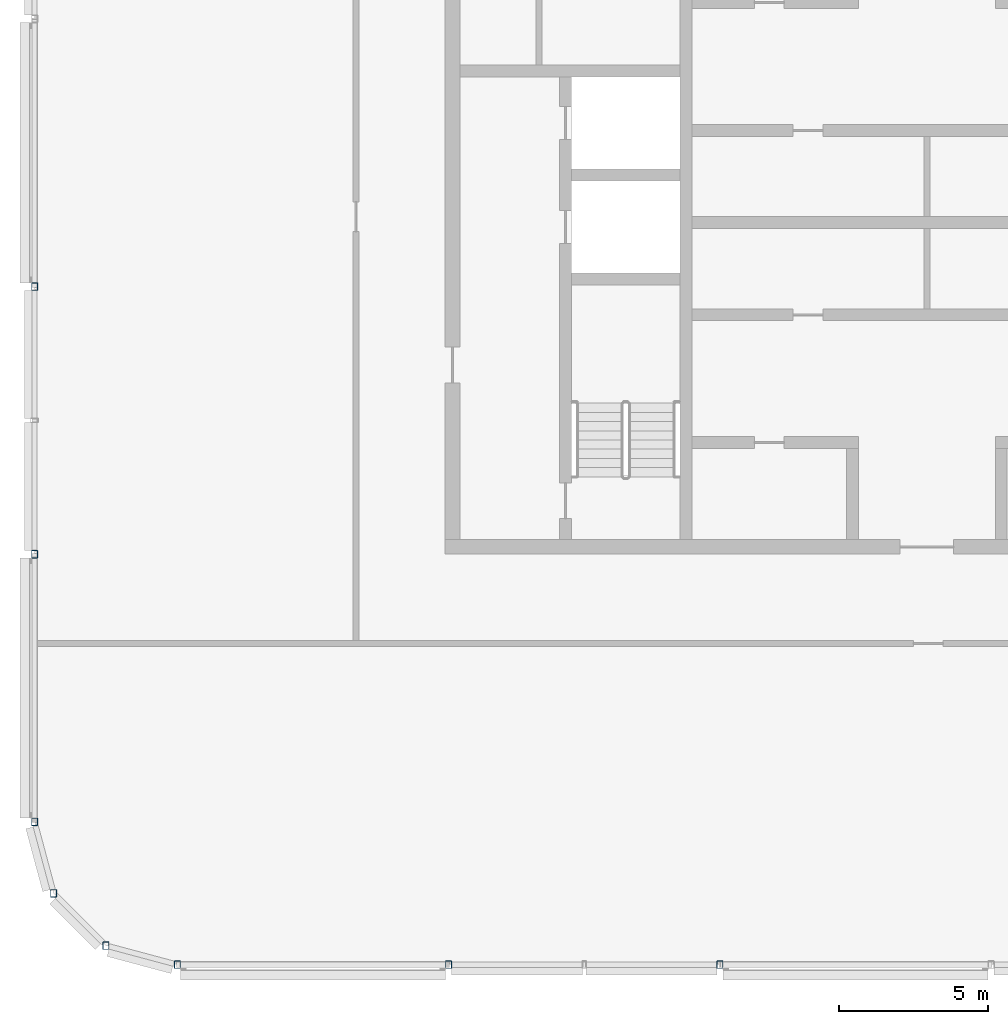
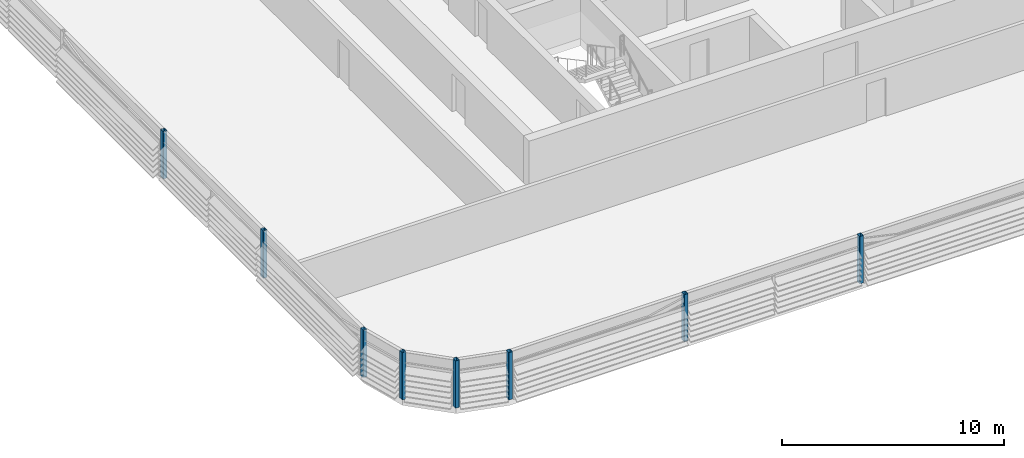
# One storey, part 1 of 27: 8 columns.
"""IFC4 building model written with IfcOpenShell, lengths in metres."""

from ifc_helpers import new_model, si_unit, direction, frame, origin, origin_2d, place, context, subcontext, project, spatial, hollow_rectangle, extrude, material, material_profile, profile_set, type_object, element, save


model = new_model("IFC4")

# Units and contexts
model_context = context("Model", 3, precision=1e-05, world=origin(), true_north=direction((0.0, 1.0)))
body_context = subcontext(model_context, "Body", "Model", "MODEL_VIEW")
ifc_project = project(units=[si_unit("LENGTHUNIT", "METRE"), si_unit("AREAUNIT", "SQUARE_METRE"), si_unit("VOLUMEUNIT", "CUBIC_METRE"), si_unit("PLANEANGLEUNIT", "RADIAN"), si_unit("MASSUNIT", "GRAM", prefix="KILO")], contexts=[model_context])

# Site, building, storey
site_placement = place(None, origin())
site = spatial("IfcSite", under=ifc_project, at=site_placement, CompositionType="ELEMENT")
building_placement = place(site_placement, origin())
building = spatial("IfcBuilding", under=site, at=building_placement, Name="Madar Terraces", CompositionType="ELEMENT")
storey_placement = place(building_placement, frame((0.0, 0.0, 314.300048828125)))
storey = spatial("IfcBuildingStorey", under=building, at=storey_placement, Name="L81", CompositionType="ELEMENT", Elevation=314.300048828125)

# Columns
ifc_material = material(Name="Steel ASTM A500 Grade C", Category="steel")
ifc_material_profile = material_profile(ifc_material, hollow_rectangle(XDim=0.203125, YDim=0.25390625, WallThickness=0.009521484375, InnerFilletRadius=0.00439453125, OuterFilletRadius=0.01318359375, at=origin_2d()), Name="HSS10x8x.375")
ifc_profile_set = profile_set([ifc_material_profile], Name="Steel ASTM A500 Grade C")
column_type = type_object("IfcColumnType", Name="CF1 HSS10x8x.375", PredefinedType="COLUMN", material=ifc_profile_set)
for number, where, z_axis, x_axis, name in (
    (1, (6.0, 1.199951171875, 0.0), (0.0, 0.0, 1.0), (1.0, 0.0, 0.0), "Crown frame column CF1"),
    (2, (15.1201171875, 1.199951171875, 0.0), (0.0, 0.0, 1.0), (1.0, 0.0, 0.0), "Crown frame column CF1"),
    (3, (24.239990234375, 1.199951171875, 0.0), (0.0, 0.0, 1.0), (1.0, 0.0, 0.0), "Crown frame column CF1"),
    (4, (1.199951171875, 24.0, 0.0), (0.0, 0.0, 1.0), (1.0, 0.0, 0.0), "Crown frame column CF1"),
    (5, (1.199951171875, 15.0, 0.0), (0.0, 0.0, 1.0), (1.0, 0.0, 0.0), "Crown frame column CF1"),
    (6, (1.199951171875, 6.0, 0.0), (0.0, 0.0, 1.0), (1.0, 0.0, 0.0), "Crown frame column CF1"),
    (7, (1.843017578125, 3.60009765625, 0.0), (0.0, 0.0, 1.0), (1.0, 0.0, 0.0), "Crown frame column CF1"),
    (8, (3.60009765625, 1.843017578125, 0.0), (0.0, 0.0, 1.0), (1.0, 0.0, 0.0), "Crown frame column CF1"),
):
    element("IfcColumn", number, at=place(storey_placement, frame(where, z_axis=z_axis, x_axis=x_axis)), inside=storey, type_object=column_type, Name=name, PredefinedType="COLUMN", context=body_context, shape_type="SweptSolid", body=[
        extrude(hollow_rectangle(XDim=0.203125, YDim=0.25390625, WallThickness=0.009521484375, InnerFilletRadius=0.00439453125, OuterFilletRadius=0.01318359375, at=origin_2d()), origin(), (0.0, 0.0, 1.0), 2.599853515625),
    ])

save(model, "model.ifc")
